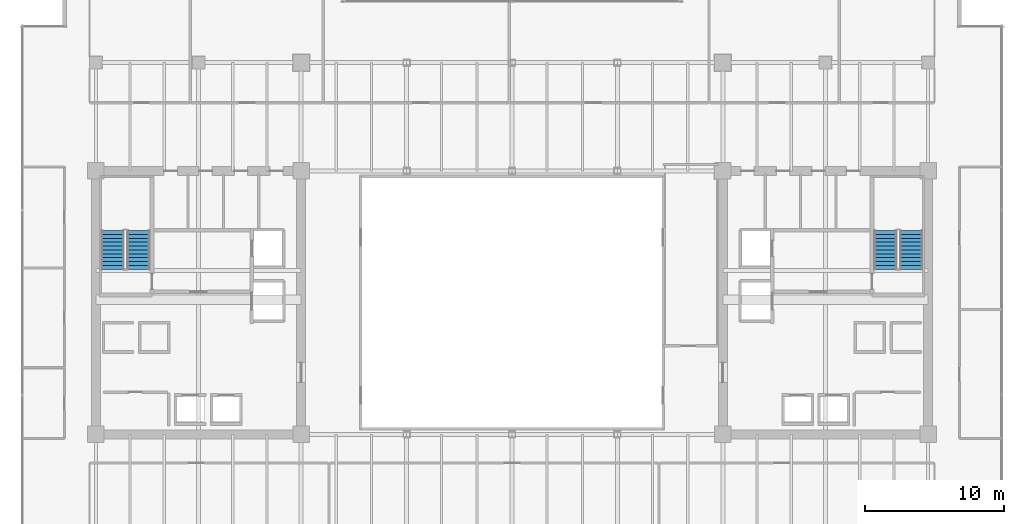
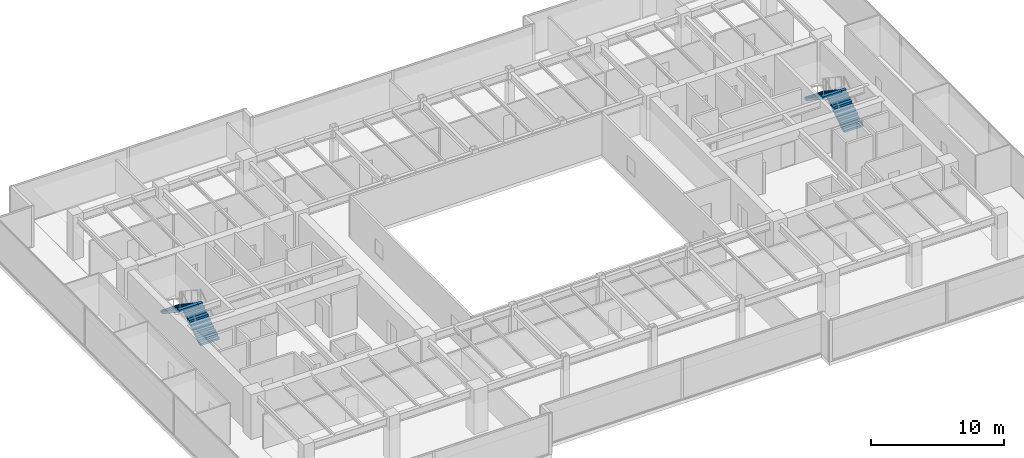
# One storey, part 29 of 33: 4 stair flights, 2 elements without a shape of their own.
"""IFC4 building model written with IfcOpenShell, lengths in metres."""

from ifc_helpers import new_model, si_unit, direction, frame, origin, place, context, subcontext, project, spatial, polyline, outline, extrude, source, transform, mapped, material, type_object, type_shapes, element, aggregate, save


model = new_model("IFC4")

# Units and contexts
model_context = context("Model", 3, precision=1e-05, world=origin(), true_north=direction((0.0, 1.0)))
body_context = subcontext(model_context, "Body", "Model", "MODEL_VIEW")
ifc_project = project(units=[si_unit("LENGTHUNIT", "METRE"), si_unit("AREAUNIT", "SQUARE_METRE"), si_unit("VOLUMEUNIT", "CUBIC_METRE"), si_unit("PLANEANGLEUNIT", "RADIAN"), si_unit("MASSUNIT", "GRAM", prefix="KILO")], contexts=[model_context])

# Site, building, storey
site_placement = place(None, origin())
site = spatial("IfcSite", under=ifc_project, at=site_placement, CompositionType="ELEMENT")
building_placement = place(site_placement, origin())
building = spatial("IfcBuilding", under=site, at=building_placement, Name="Haelvirn Gate Laboratories", CompositionType="ELEMENT")
storey_placement = place(building_placement, frame((0.0, 0.0, 137.89990234375)))
storey = spatial("IfcBuildingStorey", under=building, at=storey_placement, Name="L33", CompositionType="ELEMENT", Elevation=137.89990234375)

# Stair, stair flights
ifc_material = material(Name="Concrete C40/50", Category="concrete")
stair_type = type_object("IfcStairType", Name="ST-DOG-1650-R22", PredefinedType="HALF_TURN_STAIR", material=ifc_material)
stair_1_placement = place(storey_placement, origin())
stair_1 = element("IfcStair", 1, at=stair_1_placement, inside=storey, type_object=stair_type, Name="L33 Escape Stair ST1", PredefinedType="HALF_TURN_STAIR")
stair_flight_type = type_object("IfcStairFlightType", Name="STF-1650-R11", PredefinedType="STRAIGHT", material=ifc_material)
shared_shape = source(origin(), body_context, "Body", "SweptSolid", [
    extrude(outline(polyline([(0.0, 0.0), (0.0, 0.186279296875), (0.280029296875, 0.186279296875), (0.280029296875, 0.372802734375), (0.56005859375, 0.372802734375), (0.56005859375, 0.55908203125), (0.840087890625, 0.55908203125), (0.840087890625, 0.745361328125), (1.1201171875, 0.745361328125), (1.1201171875, 0.931884765625), (1.39990234375, 0.931884765625), (1.39990234375, 1.1181640625), (1.679931640625, 1.1181640625), (1.679931640625, 1.304443359375), (1.9599609375, 1.304443359375), (1.9599609375, 1.490966796875), (2.239990234375, 1.490966796875), (2.239990234375, 1.67724609375), (2.52001953125, 1.67724609375), (2.52001953125, 1.863525390625), (2.800048828125, 1.863525390625), (2.800048828125, 2.050048828125), (2.800048828125, 1.671630859375), (0.28857421875, 0.0), (0.0, 0.0)])), frame((0.0, 0.824951171875, 0.0), z_axis=(0.0, -1.0, 0.0), x_axis=(1.0, 0.0, 0.0)), (0.0, 0.0, 1.0), 1.64990234375),
])
type_shapes(stair_flight_type, [shared_shape])
stair_flight_1_placement = place(storey_placement, frame((10.47509765625, 26.699951171875, 0.0), z_axis=(0.0, 0.0, 1.0), x_axis=(0.0, 1.0, 0.0)))
stair_flight_1 = element("IfcStairFlight", 2, at=stair_flight_1_placement, type_object=stair_flight_type, Name="ST1 flight 1", NumberOfRisers=11, NumberOfTreads=10, PredefinedType="STRAIGHT", RiserHeight=0.186363636, TreadLength=0.28, context=body_context, shape_type="MappedRepresentation", body=[
    mapped(shared_shape, transform((0.0, 0.0, 0.0), scale=1.0)),
])
stair_flight_2_placement = place(storey_placement, frame((8.625, 29.5, 2.050048828125), z_axis=(0.0, 0.0, 1.0), x_axis=(0.0, -1.0, 0.0)))
stair_flight_2 = element("IfcStairFlight", 3, at=stair_flight_2_placement, type_object=stair_flight_type, Name="ST1 flight 2", NumberOfRisers=11, NumberOfTreads=10, PredefinedType="STRAIGHT", RiserHeight=0.186363636, TreadLength=0.28, context=body_context, shape_type="MappedRepresentation", body=[
    mapped(shared_shape, transform((0.0, 0.0, 0.0), scale=1.0)),
])
aggregate(stair_1, [stair_flight_1, stair_flight_2])

stair_2_placement = place(storey_placement, origin())
stair_2 = element("IfcStair", 4, at=stair_2_placement, inside=storey, type_object=stair_type, Name="L33 Escape Stair ST2", PredefinedType="HALF_TURN_STAIR")
stair_flight_3_placement = place(storey_placement, frame((66.175048828125, 26.699951171875, 0.0), z_axis=(0.0, 0.0, 1.0), x_axis=(0.0, 1.0, 0.0)))
stair_flight_3 = element("IfcStairFlight", 5, at=stair_flight_3_placement, type_object=stair_flight_type, Name="ST2 flight 1", NumberOfRisers=11, NumberOfTreads=10, PredefinedType="STRAIGHT", RiserHeight=0.186363636, TreadLength=0.28, context=body_context, shape_type="MappedRepresentation", body=[
    mapped(shared_shape, transform((0.0, 0.0, 0.0), scale=1.0)),
])
stair_flight_4_placement = place(storey_placement, frame((64.324951171875, 29.5, 2.050048828125), z_axis=(0.0, 0.0, 1.0), x_axis=(0.0, -1.0, 0.0)))
stair_flight_4 = element("IfcStairFlight", 6, at=stair_flight_4_placement, type_object=stair_flight_type, Name="ST2 flight 2", NumberOfRisers=11, NumberOfTreads=10, PredefinedType="STRAIGHT", RiserHeight=0.186363636, TreadLength=0.28, context=body_context, shape_type="MappedRepresentation", body=[
    mapped(shared_shape, transform((0.0, 0.0, 0.0), scale=1.0)),
])
aggregate(stair_2, [stair_flight_3, stair_flight_4])

save(model, "model.ifc")
